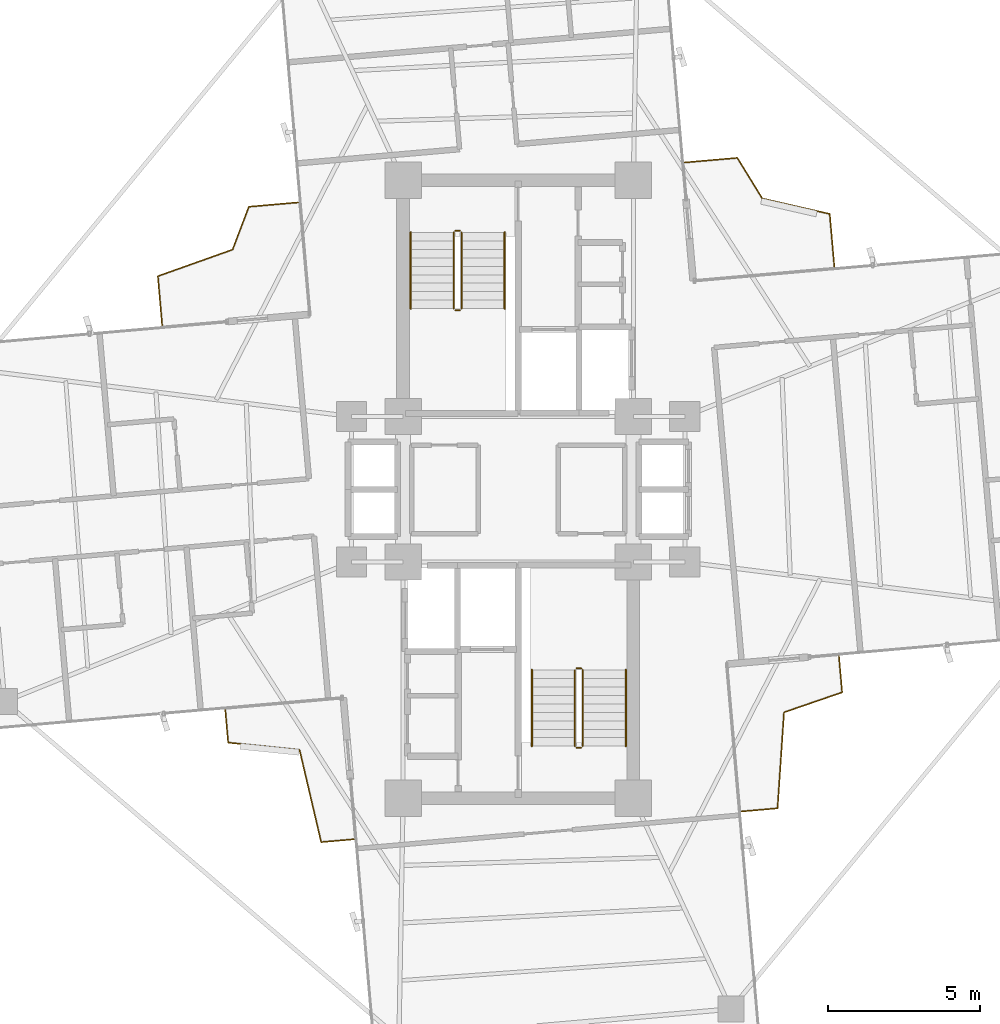
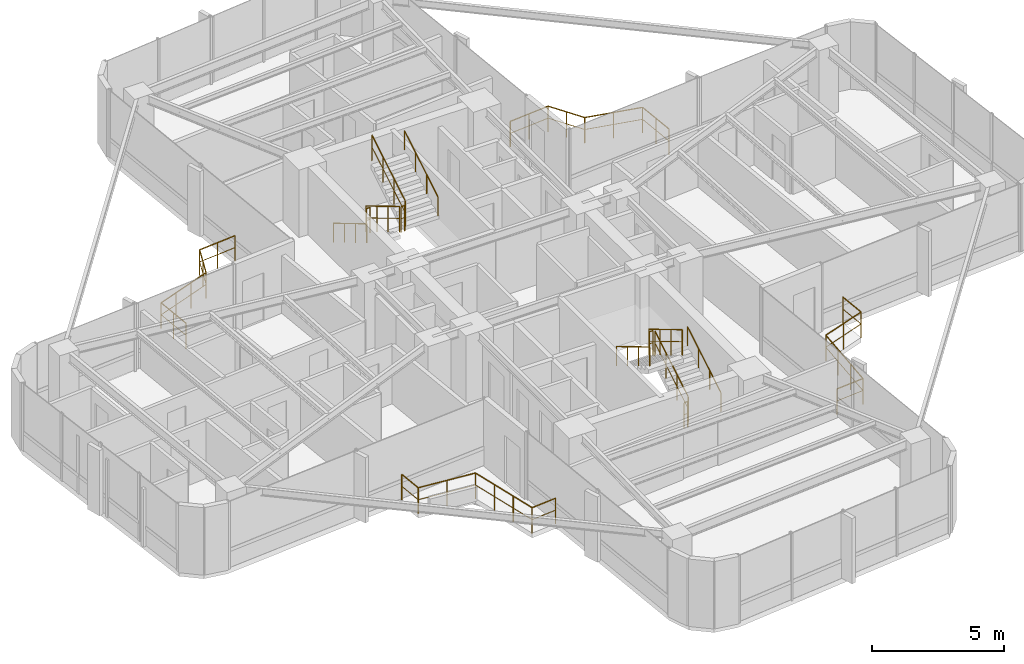
# One storey, part 24 of 24: 16 railings.
"""IFC4 building model written with IfcOpenShell, lengths in metres."""

from ifc_helpers import new_model, si_unit, direction, frame, origin, origin_2d, place, context, subcontext, project, spatial, circle, extrude, material, type_object, element, save


model = new_model("IFC4")

# Units and contexts
model_context = context("Model", 3, precision=1e-05, world=origin(), true_north=direction((0.0, 1.0)))
body_context = subcontext(model_context, "Body", "Model", "MODEL_VIEW")
ifc_project = project(units=[si_unit("LENGTHUNIT", "METRE"), si_unit("AREAUNIT", "SQUARE_METRE"), si_unit("VOLUMEUNIT", "CUBIC_METRE"), si_unit("PLANEANGLEUNIT", "RADIAN"), si_unit("MASSUNIT", "GRAM", prefix="KILO")], contexts=[model_context])

# Site, building, storey
site_placement = place(None, origin())
site = spatial("IfcSite", under=ifc_project, at=site_placement, CompositionType="ELEMENT")
building_placement = place(site_placement, origin())
building = spatial("IfcBuilding", under=site, at=building_placement, Name="Sahyath Konkavel Grand Hotel", CompositionType="ELEMENT")
storey_placement = place(building_placement, frame((0.0, 0.0, 153.949951171875)))
storey = spatial("IfcBuildingStorey", under=building, at=storey_placement, Name="L42", CompositionType="ELEMENT", Elevation=153.949951171875)

# Railings
ifc_material_1 = material(Name="Anodised Bronze Aluminium", Category="aluminium")
railing_type_1 = type_object("IfcRailingType", Name="RLG-BALC-1200", PredefinedType="GUARDRAIL", material=ifc_material_1)
railing_1_placement = place(storey_placement, frame((10.433349609375, 7.347412109375, 0.0)))
element("IfcRailing", 1, at=railing_1_placement, inside=storey, type_object=railing_type_1, Name="L42 Winter-Garden Guard NE", PredefinedType="GUARDRAIL", context=body_context, shape_type="SweptSolid", body=[
    extrude(circle(Radius=0.02392578125, at=origin_2d()), frame((-0.000244140625, 0.001953125, 1.17578125), z_axis=(-0.087196418917, 0.996191138551, 0.0), x_axis=(-0.996191138551, -0.087196418917, 0.0)), (0.0, 0.0, 1.0), 1.7431640625),
    extrude(circle(Radius=0.01416015625, at=origin_2d()), frame((-0.000244140625, 0.001953125, 0.6240234375), z_axis=(-0.087196418917, 0.996191138551, 0.0), x_axis=(-0.996191138551, -0.087196418917, 0.0)), (0.0, 0.0, 1.0), 1.7431640625),
    extrude(circle(Radius=0.02392578125, at=origin_2d()), frame((-0.154296875, 1.740966796875, 1.17578125), z_axis=(-0.974714379717, 0.223454420347, 0.0), x_axis=(-0.223454420347, -0.974714379717, 0.0)), (0.0, 0.0, 1.0), 2.280517578125),
    extrude(circle(Radius=0.01416015625, at=origin_2d()), frame((-0.154296875, 1.740966796875, 0.6240234375), z_axis=(-0.974714379717, 0.223454420347, 0.0), x_axis=(-0.223454420347, -0.974714379717, 0.0)), (0.0, 0.0, 1.0), 2.280517578125),
    extrude(circle(Radius=0.02392578125, at=origin_2d()), frame((-2.380126953125, 2.252685546875, 1.17578125), z_axis=(-0.523352064387, 0.852116551125, 0.0), x_axis=(-0.852116551125, -0.523352064387, 0.0)), (0.0, 0.0, 1.0), 1.568115234375),
    extrude(circle(Radius=0.01416015625, at=origin_2d()), frame((-2.380126953125, 2.252685546875, 0.6240234375), z_axis=(-0.523352064387, 0.852116551125, 0.0), x_axis=(-0.852116551125, -0.523352064387, 0.0)), (0.0, 0.0, 1.0), 1.568115234375),
    extrude(circle(Radius=0.02392578125, at=origin_2d()), frame((-3.203857421875, 3.59033203125, 1.17578125), z_axis=(-0.996191138551, -0.087196418917, 0.0), x_axis=(0.087196418917, -0.996191138551, 0.0)), (0.0, 0.0, 1.0), 1.7431640625),
    extrude(circle(Radius=0.01416015625, at=origin_2d()), frame((-3.203857421875, 3.59033203125, 0.6240234375), z_axis=(-0.996191138551, -0.087196418917, 0.0), x_axis=(0.087196418917, -0.996191138551, 0.0)), (0.0, 0.0, 1.0), 1.7431640625),
    extrude(circle(Radius=0.02099609375, at=origin_2d()), origin(), (0.0, 0.0, 1.0), 1.15185546875),
    extrude(circle(Radius=0.02099609375, at=origin_2d()), frame((-0.076171875, 0.8701171875, 0.0)), (0.0, 0.0, 1.0), 1.15185546875),
    extrude(circle(Radius=0.02099609375, at=origin_2d()), frame((-0.15234375, 1.740478515625, 0.0)), (0.0, 0.0, 1.0), 1.15185546875),
    extrude(circle(Radius=0.02099609375, at=origin_2d()), frame((-1.265625, 1.99560546875, 0.0)), (0.0, 0.0, 1.0), 1.15185546875),
    extrude(circle(Radius=0.02099609375, at=origin_2d()), frame((-2.379150390625, 2.2509765625, 0.0)), (0.0, 0.0, 1.0), 1.15185546875),
    extrude(circle(Radius=0.02099609375, at=origin_2d()), frame((-2.79052734375, 2.9208984375, 0.0)), (0.0, 0.0, 1.0), 1.15185546875),
    extrude(circle(Radius=0.02099609375, at=origin_2d()), frame((-3.201904296875, 3.590576171875, 0.0)), (0.0, 0.0, 1.0), 1.15185546875),
    extrude(circle(Radius=0.02099609375, at=origin_2d()), frame((-4.072265625, 3.514404296875, 0.0)), (0.0, 0.0, 1.0), 1.15185546875),
    extrude(circle(Radius=0.02099609375, at=origin_2d()), frame((-4.9423828125, 3.438232421875, 0.0)), (0.0, 0.0, 1.0), 1.15185546875),
])
railing_2_placement = place(storey_placement, frame((-7.262939453125, 9.468017578125, 0.0)))
element("IfcRailing", 2, at=railing_2_placement, inside=storey, type_object=railing_type_1, Name="L42 Winter-Garden Guard NW", PredefinedType="GUARDRAIL", context=body_context, shape_type="SweptSolid", body=[
    extrude(circle(Radius=0.02392578125, at=origin_2d()), frame((-0.001953125, -0.000244140625, 1.17578125), z_axis=(-0.996196150665, -0.08713913816, 0.0), x_axis=(0.08713913816, -0.996196150665, 0.0)), (0.0, 0.0, 1.0), 1.62939453125),
    extrude(circle(Radius=0.01416015625, at=origin_2d()), frame((-0.001953125, -0.000244140625, 0.6240234375), z_axis=(-0.996196150665, -0.08713913816, 0.0), x_axis=(0.08713913816, -0.996196150665, 0.0)), (0.0, 0.0, 1.0), 1.62939453125),
    extrude(circle(Radius=0.02392578125, at=origin_2d()), frame((-1.6279296875, -0.144287109375, 1.17578125), z_axis=(-0.354814670044, -0.934936655566, 0.0), x_axis=(0.934936655566, -0.354814670044, 0.0)), (0.0, 0.0, 1.0), 1.509765625),
    extrude(circle(Radius=0.01416015625, at=origin_2d()), frame((-1.6279296875, -0.144287109375, 0.6240234375), z_axis=(-0.354814670044, -0.934936655566, 0.0), x_axis=(0.934936655566, -0.354814670044, 0.0)), (0.0, 0.0, 1.0), 1.509765625),
    extrude(circle(Radius=0.02392578125, at=origin_2d()), frame((-2.166259765625, -1.558349609375, 1.17578125), z_axis=(-0.942228430091, -0.334971021924, 0.0), x_axis=(0.334971021924, -0.942228430091, 0.0)), (0.0, 0.0, 1.0), 2.61328125),
    extrude(circle(Radius=0.01416015625, at=origin_2d()), frame((-2.166259765625, -1.558349609375, 0.6240234375), z_axis=(-0.942228430091, -0.334971021924, 0.0), x_axis=(0.334971021924, -0.942228430091, 0.0)), (0.0, 0.0, 1.0), 2.61328125),
    extrude(circle(Radius=0.02392578125, at=origin_2d()), frame((-4.630126953125, -2.436279296875, 1.17578125), z_axis=(0.08713913816, -0.996196150665, 0.0), x_axis=(0.996196150665, 0.08713913816, 0.0)), (0.0, 0.0, 1.0), 1.62939453125),
    extrude(circle(Radius=0.01416015625, at=origin_2d()), frame((-4.630126953125, -2.436279296875, 0.6240234375), z_axis=(0.08713913816, -0.996196150665, 0.0), x_axis=(0.996196150665, 0.08713913816, 0.0)), (0.0, 0.0, 1.0), 1.62939453125),
    extrude(circle(Radius=0.02099609375, at=origin_2d()), origin(), (0.0, 0.0, 1.0), 1.15185546875),
    extrude(circle(Radius=0.02099609375, at=origin_2d()), frame((-0.8134765625, -0.0712890625, 0.0)), (0.0, 0.0, 1.0), 1.15185546875),
    extrude(circle(Radius=0.02099609375, at=origin_2d()), frame((-1.627197265625, -0.142333984375, 0.0)), (0.0, 0.0, 1.0), 1.15185546875),
    extrude(circle(Radius=0.02099609375, at=origin_2d()), frame((-1.895751953125, -0.85009765625, 0.0)), (0.0, 0.0, 1.0), 1.15185546875),
    extrude(circle(Radius=0.02099609375, at=origin_2d()), frame((-2.164306640625, -1.5576171875, 0.0)), (0.0, 0.0, 1.0), 1.15185546875),
    extrude(circle(Radius=0.02099609375, at=origin_2d()), frame((-2.986328125, -1.849853515625, 0.0)), (0.0, 0.0, 1.0), 1.15185546875),
    extrude(circle(Radius=0.02099609375, at=origin_2d()), frame((-3.808349609375, -2.14208984375, 0.0)), (0.0, 0.0, 1.0), 1.15185546875),
    extrude(circle(Radius=0.02099609375, at=origin_2d()), frame((-4.63037109375, -2.434326171875, 0.0)), (0.0, 0.0, 1.0), 1.15185546875),
    extrude(circle(Radius=0.02099609375, at=origin_2d()), frame((-4.55908203125, -3.248046875, 0.0)), (0.0, 0.0, 1.0), 1.15185546875),
    extrude(circle(Radius=0.02099609375, at=origin_2d()), frame((-4.488037109375, -4.0615234375, 0.0)), (0.0, 0.0, 1.0), 1.15185546875),
])
railing_3_placement = place(storey_placement, frame((-9.668212890625, -7.280517578125, 0.0)))
element("IfcRailing", 3, at=railing_3_placement, inside=storey, type_object=railing_type_1, Name="L42 Winter-Garden Guard SW", PredefinedType="GUARDRAIL", context=body_context, shape_type="SweptSolid", body=[
    extrude(circle(Radius=0.02392578125, at=origin_2d()), frame((0.000244140625, -0.001953125, 1.17578125), z_axis=(0.087105523721, -0.996199090412, 0.0), x_axis=(0.996199090412, 0.087105523721, 0.0)), (0.0, 0.0, 1.0), 1.080810546875),
    extrude(circle(Radius=0.01416015625, at=origin_2d()), frame((0.000244140625, -0.001953125, 0.6240234375), z_axis=(0.087105523721, -0.996199090412, 0.0), x_axis=(0.996199090412, 0.087105523721, 0.0)), (0.0, 0.0, 1.0), 1.080810546875),
    extrude(circle(Radius=0.02392578125, at=origin_2d()), frame((0.096435546875, -1.080810546875, 1.17578125), z_axis=(0.994820535557, -0.101646947985, 0.0), x_axis=(0.101646947985, 0.994820535557, 0.0)), (0.0, 0.0, 1.0), 2.3642578125),
    extrude(circle(Radius=0.01416015625, at=origin_2d()), frame((0.096435546875, -1.080810546875, 0.6240234375), z_axis=(0.994820535557, -0.101646947985, 0.0), x_axis=(0.101646947985, 0.994820535557, 0.0)), (0.0, 0.0, 1.0), 2.3642578125),
    extrude(circle(Radius=0.02392578125, at=origin_2d()), frame((2.450927734375, -1.3232421875, 1.17578125), z_axis=(0.228138109194, -0.97362878097, 0.0), x_axis=(0.97362878097, 0.228138109194, 0.0)), (0.0, 0.0, 1.0), 3.121826171875),
    extrude(circle(Radius=0.01416015625, at=origin_2d()), frame((2.450927734375, -1.3232421875, 0.6240234375), z_axis=(0.228138109194, -0.97362878097, 0.0), x_axis=(0.97362878097, 0.228138109194, 0.0)), (0.0, 0.0, 1.0), 3.121826171875),
    extrude(circle(Radius=0.02392578125, at=origin_2d()), frame((3.16552734375, -4.364501953125, 1.17578125), z_axis=(0.996200797595, 0.087085996989, 0.0), x_axis=(-0.087085996989, 0.996200797595, 0.0)), (0.0, 0.0, 1.0), 1.080810546875),
    extrude(circle(Radius=0.01416015625, at=origin_2d()), frame((3.16552734375, -4.364501953125, 0.6240234375), z_axis=(0.996200797595, 0.087085996989, 0.0), x_axis=(-0.087085996989, 0.996200797595, 0.0)), (0.0, 0.0, 1.0), 1.080810546875),
    extrude(circle(Radius=0.02099609375, at=origin_2d()), origin(), (0.0, 0.0, 1.0), 1.15185546875),
    extrude(circle(Radius=0.02099609375, at=origin_2d()), frame((0.094482421875, -1.08056640625, 0.0)), (0.0, 0.0, 1.0), 1.15185546875),
    extrude(circle(Radius=0.02099609375, at=origin_2d()), frame((1.2724609375, -1.200927734375, 0.0)), (0.0, 0.0, 1.0), 1.15185546875),
    extrude(circle(Radius=0.02099609375, at=origin_2d()), frame((2.450439453125, -1.3212890625, 0.0)), (0.0, 0.0, 1.0), 1.15185546875),
    extrude(circle(Radius=0.02099609375, at=origin_2d()), frame((2.688232421875, -2.335693359375, 0.0)), (0.0, 0.0, 1.0), 1.15185546875),
    extrude(circle(Radius=0.02099609375, at=origin_2d()), frame((2.92578125, -3.350341796875, 0.0)), (0.0, 0.0, 1.0), 1.15185546875),
    extrude(circle(Radius=0.02099609375, at=origin_2d()), frame((3.16357421875, -4.36474609375, 0.0)), (0.0, 0.0, 1.0), 1.15185546875),
    extrude(circle(Radius=0.02099609375, at=origin_2d()), frame((4.244384765625, -4.270263671875, 0.0)), (0.0, 0.0, 1.0), 1.15185546875),
])
railing_4_placement = place(storey_placement, frame((7.36474609375, -10.633544921875, 0.0)))
element("IfcRailing", 4, at=railing_4_placement, inside=storey, type_object=railing_type_1, Name="L42 Winter-Garden Guard SE", PredefinedType="GUARDRAIL", context=body_context, shape_type="SweptSolid", body=[
    extrude(circle(Radius=0.02392578125, at=origin_2d()), frame((0.001953125, 0.000244140625, 1.17578125), z_axis=(0.996193054224, 0.0871745302, 0.0), x_axis=(-0.0871745302, 0.996193054224, 0.0)), (0.0, 0.0, 1.0), 1.194580078125),
    extrude(circle(Radius=0.01416015625, at=origin_2d()), frame((0.001953125, 0.000244140625, 0.6240234375), z_axis=(0.996193054224, 0.0871745302, 0.0), x_axis=(-0.0871745302, 0.996193054224, 0.0)), (0.0, 0.0, 1.0), 1.194580078125),
    extrude(circle(Radius=0.02392578125, at=origin_2d()), frame((1.1943359375, 0.1064453125, 1.17578125), z_axis=(0.067437649414, 0.997723490473, 0.0), x_axis=(-0.997723490473, 0.067437649414, 0.0)), (0.0, 0.0, 1.0), 3.1708984375),
    extrude(circle(Radius=0.01416015625, at=origin_2d()), frame((1.1943359375, 0.1064453125, 0.6240234375), z_axis=(0.067437649414, 0.997723490473, 0.0), x_axis=(-0.997723490473, 0.067437649414, 0.0)), (0.0, 0.0, 1.0), 3.1708984375),
    extrude(circle(Radius=0.02392578125, at=origin_2d()), frame((1.41015625, 3.27294921875, 1.17578125), z_axis=(0.945678498661, 0.325103333064, 0.0), x_axis=(-0.325103333064, 0.945678498661, 0.0)), (0.0, 0.0, 1.0), 2.02294921875),
    extrude(circle(Radius=0.01416015625, at=origin_2d()), frame((1.41015625, 3.27294921875, 0.6240234375), z_axis=(0.945678498661, 0.325103333064, 0.0), x_axis=(-0.325103333064, 0.945678498661, 0.0)), (0.0, 0.0, 1.0), 2.02294921875),
    extrude(circle(Radius=0.02392578125, at=origin_2d()), frame((3.32470703125, 3.93310546875, 1.17578125), z_axis=(-0.0871745302, 0.996193054224, 0.0), x_axis=(-0.996193054224, -0.0871745302, 0.0)), (0.0, 0.0, 1.0), 1.194580078125),
    extrude(circle(Radius=0.01416015625, at=origin_2d()), frame((3.32470703125, 3.93310546875, 0.6240234375), z_axis=(-0.0871745302, 0.996193054224, 0.0), x_axis=(-0.996193054224, -0.0871745302, 0.0)), (0.0, 0.0, 1.0), 1.194580078125),
    extrude(circle(Radius=0.02099609375, at=origin_2d()), origin(), (0.0, 0.0, 1.0), 1.15185546875),
    extrude(circle(Radius=0.02099609375, at=origin_2d()), frame((1.194091796875, 0.1044921875, 0.0)), (0.0, 0.0, 1.0), 1.15185546875),
    extrude(circle(Radius=0.02099609375, at=origin_2d()), frame((1.265380859375, 1.160400390625, 0.0)), (0.0, 0.0, 1.0), 1.15185546875),
    extrude(circle(Radius=0.02099609375, at=origin_2d()), frame((1.3369140625, 2.21630859375, 0.0)), (0.0, 0.0, 1.0), 1.15185546875),
    extrude(circle(Radius=0.02099609375, at=origin_2d()), frame((1.408203125, 3.272216796875, 0.0)), (0.0, 0.0, 1.0), 1.15185546875),
    extrude(circle(Radius=0.02099609375, at=origin_2d()), frame((2.36669921875, 3.6015625, 0.0)), (0.0, 0.0, 1.0), 1.15185546875),
    extrude(circle(Radius=0.02099609375, at=origin_2d()), frame((3.324951171875, 3.93115234375, 0.0)), (0.0, 0.0, 1.0), 1.15185546875),
    extrude(circle(Radius=0.02099609375, at=origin_2d()), frame((3.220458984375, 5.125244140625, 0.0)), (0.0, 0.0, 1.0), 1.15185546875),
])
ifc_material_2 = material(Name="Steel E350", Category="steel")
railing_type_2 = type_object("IfcRailingType", Name="RLG-STAIR-GRD", PredefinedType="GUARDRAIL", material=ifc_material_2)
railing_5_placement = place(storey_placement, frame((-2.1298828125, 8.47998046875, 0.16748046875)))
element("IfcRailing", 5, at=railing_5_placement, inside=storey, type_object=railing_type_2, Name="L42 ST-1 stair guard 1", PredefinedType="GUARDRAIL", context=body_context, shape_type="SweptSolid", body=[
    extrude(circle(Radius=0.02392578125, at=origin_2d()), frame((0.0, -0.001708984375, 1.177001953125), z_axis=(0.0, -0.858159760407, 0.513382728203), x_axis=(1.0, 0.0, 0.0)), (0.0, 0.0, 1.0), 2.9326171875),
    extrude(circle(Radius=0.01416015625, at=origin_2d()), frame((0.0, -0.001708984375, 0.625), z_axis=(0.0, -0.858159760407, 0.513382728203), x_axis=(1.0, 0.0, 0.0)), (0.0, 0.0, 1.0), 2.9326171875),
    extrude(circle(Radius=0.02099609375, at=origin_2d()), origin(), (0.0, 0.0, 1.0), 1.15185546875),
    extrude(circle(Radius=0.02099609375, at=origin_2d()), frame((0.0, -0.840087890625, 0.50244140625)), (0.0, 0.0, 1.0), 1.15185546875),
    extrude(circle(Radius=0.02099609375, at=origin_2d()), frame((0.0, -1.679931640625, 1.005126953125)), (0.0, 0.0, 1.0), 1.15185546875),
    extrude(circle(Radius=0.02099609375, at=origin_2d()), frame((0.0, -2.52001953125, 1.507568359375)), (0.0, 0.0, 1.0), 1.15185546875),
])
railing_6_placement = place(storey_placement, frame((-2.080078125, 5.909912109375, 1.675048828125)))
element("IfcRailing", 6, at=railing_6_placement, inside=storey, type_object=railing_type_2, Name="L42 ST-1 stair guard 2", PredefinedType="GUARDRAIL", context=body_context, shape_type="SweptSolid", body=[
    extrude(circle(Radius=0.02392578125, at=origin_2d()), frame((0.001953125, 0.0, 1.17578125), z_axis=(1.0, 0.0, 0.0), x_axis=(0.0, 1.0, 0.0)), (0.0, 0.0, 1.0), 0.15625),
    extrude(circle(Radius=0.01416015625, at=origin_2d()), frame((0.001953125, 0.0, 0.6240234375), z_axis=(1.0, 0.0, 0.0), x_axis=(0.0, 1.0, 0.0)), (0.0, 0.0, 1.0), 0.15625),
    extrude(circle(Radius=0.02099609375, at=origin_2d()), origin(), (0.0, 0.0, 1.0), 1.15185546875),
    extrude(circle(Radius=0.02099609375, at=origin_2d()), frame((0.16015625, 0.0, 0.0)), (0.0, 0.0, 1.0), 1.15185546875),
])
railing_7_placement = place(storey_placement, frame((-1.8701171875, 5.9599609375, 1.842529296875)))
element("IfcRailing", 7, at=railing_7_placement, inside=storey, type_object=railing_type_2, Name="L42 ST-1 stair guard 3", PredefinedType="GUARDRAIL", context=body_context, shape_type="SweptSolid", body=[
    extrude(circle(Radius=0.02392578125, at=origin_2d()), frame((0.0, 0.001708984375, 1.177001953125), z_axis=(0.0, 0.858159760407, 0.513382728203), x_axis=(-1.0, 0.0, 0.0)), (0.0, 0.0, 1.0), 2.9326171875),
    extrude(circle(Radius=0.01416015625, at=origin_2d()), frame((0.0, 0.001708984375, 0.625), z_axis=(0.0, 0.858159760407, 0.513382728203), x_axis=(-1.0, 0.0, 0.0)), (0.0, 0.0, 1.0), 2.9326171875),
    extrude(circle(Radius=0.02099609375, at=origin_2d()), origin(), (0.0, 0.0, 1.0), 1.15185546875),
    extrude(circle(Radius=0.02099609375, at=origin_2d()), frame((0.0, 0.840087890625, 0.50244140625)), (0.0, 0.0, 1.0), 1.15185546875),
    extrude(circle(Radius=0.02099609375, at=origin_2d()), frame((0.0, 1.679931640625, 1.005126953125)), (0.0, 0.0, 1.0), 1.15185546875),
    extrude(circle(Radius=0.02099609375, at=origin_2d()), frame((0.0, 2.52001953125, 1.507568359375)), (0.0, 0.0, 1.0), 1.15185546875),
])
railing_8_placement = place(storey_placement, frame((-2.080078125, 8.530029296875, 0.0)))
element("IfcRailing", 8, at=railing_8_placement, inside=storey, type_object=railing_type_2, Name="L42 ST-1 stair guard 4", PredefinedType="GUARDRAIL", context=body_context, shape_type="SweptSolid", body=[
    extrude(circle(Radius=0.02392578125, at=origin_2d()), frame((0.001953125, 0.0, 1.17578125), z_axis=(1.0, 0.0, 0.0), x_axis=(0.0, 1.0, 0.0)), (0.0, 0.0, 1.0), 0.15625),
    extrude(circle(Radius=0.01416015625, at=origin_2d()), frame((0.001953125, 0.0, 0.6240234375), z_axis=(1.0, 0.0, 0.0), x_axis=(0.0, 1.0, 0.0)), (0.0, 0.0, 1.0), 0.15625),
    extrude(circle(Radius=0.02099609375, at=origin_2d()), origin(), (0.0, 0.0, 1.0), 1.15185546875),
    extrude(circle(Radius=0.02099609375, at=origin_2d()), frame((0.16015625, 0.0, 0.0)), (0.0, 0.0, 1.0), 1.15185546875),
])
railing_9_placement = place(storey_placement, frame((2.1298828125, -8.47998046875, 0.16748046875)))
element("IfcRailing", 9, at=railing_9_placement, inside=storey, type_object=railing_type_2, Name="L42 ST-2 stair guard 1", PredefinedType="GUARDRAIL", context=body_context, shape_type="SweptSolid", body=[
    extrude(circle(Radius=0.02392578125, at=origin_2d()), frame((0.0, 0.001708984375, 1.177001953125), z_axis=(0.0, 0.858159760407, 0.513382728203), x_axis=(-1.0, 0.0, 0.0)), (0.0, 0.0, 1.0), 2.9326171875),
    extrude(circle(Radius=0.01416015625, at=origin_2d()), frame((0.0, 0.001708984375, 0.625), z_axis=(0.0, 0.858159760407, 0.513382728203), x_axis=(-1.0, 0.0, 0.0)), (0.0, 0.0, 1.0), 2.9326171875),
    extrude(circle(Radius=0.02099609375, at=origin_2d()), origin(), (0.0, 0.0, 1.0), 1.15185546875),
    extrude(circle(Radius=0.02099609375, at=origin_2d()), frame((0.0, 0.840087890625, 0.50244140625)), (0.0, 0.0, 1.0), 1.15185546875),
    extrude(circle(Radius=0.02099609375, at=origin_2d()), frame((0.0, 1.679931640625, 1.005126953125)), (0.0, 0.0, 1.0), 1.15185546875),
    extrude(circle(Radius=0.02099609375, at=origin_2d()), frame((0.0, 2.52001953125, 1.507568359375)), (0.0, 0.0, 1.0), 1.15185546875),
])
railing_10_placement = place(storey_placement, frame((2.080078125, -5.909912109375, 1.675048828125)))
element("IfcRailing", 10, at=railing_10_placement, inside=storey, type_object=railing_type_2, Name="L42 ST-2 stair guard 2", PredefinedType="GUARDRAIL", context=body_context, shape_type="SweptSolid", body=[
    extrude(circle(Radius=0.02392578125, at=origin_2d()), frame((-0.001953125, 0.0, 1.17578125), z_axis=(-1.0, 0.0, 0.0), x_axis=(0.0, -1.0, 0.0)), (0.0, 0.0, 1.0), 0.15625),
    extrude(circle(Radius=0.01416015625, at=origin_2d()), frame((-0.001953125, 0.0, 0.6240234375), z_axis=(-1.0, 0.0, 0.0), x_axis=(0.0, -1.0, 0.0)), (0.0, 0.0, 1.0), 0.15625),
    extrude(circle(Radius=0.02099609375, at=origin_2d()), origin(), (0.0, 0.0, 1.0), 1.15185546875),
    extrude(circle(Radius=0.02099609375, at=origin_2d()), frame((-0.16015625, 0.0, 0.0)), (0.0, 0.0, 1.0), 1.15185546875),
])
railing_11_placement = place(storey_placement, frame((1.8701171875, -5.9599609375, 1.842529296875)))
element("IfcRailing", 11, at=railing_11_placement, inside=storey, type_object=railing_type_2, Name="L42 ST-2 stair guard 3", PredefinedType="GUARDRAIL", context=body_context, shape_type="SweptSolid", body=[
    extrude(circle(Radius=0.02392578125, at=origin_2d()), frame((0.0, -0.001708984375, 1.177001953125), z_axis=(0.0, -0.858159760407, 0.513382728203), x_axis=(1.0, 0.0, 0.0)), (0.0, 0.0, 1.0), 2.9326171875),
    extrude(circle(Radius=0.01416015625, at=origin_2d()), frame((0.0, -0.001708984375, 0.625), z_axis=(0.0, -0.858159760407, 0.513382728203), x_axis=(1.0, 0.0, 0.0)), (0.0, 0.0, 1.0), 2.9326171875),
    extrude(circle(Radius=0.02099609375, at=origin_2d()), origin(), (0.0, 0.0, 1.0), 1.15185546875),
    extrude(circle(Radius=0.02099609375, at=origin_2d()), frame((0.0, -0.840087890625, 0.50244140625)), (0.0, 0.0, 1.0), 1.15185546875),
    extrude(circle(Radius=0.02099609375, at=origin_2d()), frame((0.0, -1.679931640625, 1.005126953125)), (0.0, 0.0, 1.0), 1.15185546875),
    extrude(circle(Radius=0.02099609375, at=origin_2d()), frame((0.0, -2.52001953125, 1.507568359375)), (0.0, 0.0, 1.0), 1.15185546875),
])
railing_12_placement = place(storey_placement, frame((2.080078125, -8.530029296875, 0.0)))
element("IfcRailing", 12, at=railing_12_placement, inside=storey, type_object=railing_type_2, Name="L42 ST-2 stair guard 4", PredefinedType="GUARDRAIL", context=body_context, shape_type="SweptSolid", body=[
    extrude(circle(Radius=0.02392578125, at=origin_2d()), frame((-0.001953125, 0.0, 1.17578125), z_axis=(-1.0, 0.0, 0.0), x_axis=(0.0, -1.0, 0.0)), (0.0, 0.0, 1.0), 0.15625),
    extrude(circle(Radius=0.01416015625, at=origin_2d()), frame((-0.001953125, 0.0, 0.6240234375), z_axis=(-1.0, 0.0, 0.0), x_axis=(0.0, -1.0, 0.0)), (0.0, 0.0, 1.0), 0.15625),
    extrude(circle(Radius=0.02099609375, at=origin_2d()), origin(), (0.0, 0.0, 1.0), 1.15185546875),
    extrude(circle(Radius=0.02099609375, at=origin_2d()), frame((-0.16015625, 0.0, 0.0)), (0.0, 0.0, 1.0), 1.15185546875),
])
railing_type_3 = type_object("IfcRailingType", Name="RLG-STAIR-HND", PredefinedType="HANDRAIL", material=ifc_material_1)
railing_13_placement = place(storey_placement, frame((-3.550048828125, 8.47998046875, 0.16748046875)))
element("IfcRailing", 13, at=railing_13_placement, inside=storey, type_object=railing_type_3, Name="L42 ST-1 stair handrail 1", PredefinedType="HANDRAIL", context=body_context, shape_type="SweptSolid", body=[
    extrude(circle(Radius=0.02392578125, at=origin_2d()), frame((0.0, -0.001708984375, 0.876953125), z_axis=(0.0, -0.858159760407, 0.513382728203), x_axis=(1.0, 0.0, 0.0)), (0.0, 0.0, 1.0), 2.9326171875),
    extrude(circle(Radius=0.02099609375, at=origin_2d()), origin(), (0.0, 0.0, 1.0), 0.851806640625),
    extrude(circle(Radius=0.02099609375, at=origin_2d()), frame((0.0, -0.840087890625, 0.50244140625)), (0.0, 0.0, 1.0), 0.851806640625),
    extrude(circle(Radius=0.02099609375, at=origin_2d()), frame((0.0, -1.679931640625, 1.005126953125)), (0.0, 0.0, 1.0), 0.851806640625),
    extrude(circle(Radius=0.02099609375, at=origin_2d()), frame((0.0, -2.52001953125, 1.507568359375)), (0.0, 0.0, 1.0), 0.851806640625),
])
for number, where, name in (
    (14, (-0.449951171875, 5.9599609375, 1.842529296875), "L42 ST-1 stair handrail 2"),
    (15, (3.550048828125, -8.47998046875, 0.16748046875), "L42 ST-2 stair handrail 1"),
):
    element("IfcRailing", number, at=place(storey_placement, frame(where)), inside=storey, type_object=railing_type_3, Name=name, PredefinedType="HANDRAIL", context=body_context, shape_type="SweptSolid", body=[
        extrude(circle(Radius=0.02392578125, at=origin_2d()), frame((0.0, 0.001708984375, 0.876953125), z_axis=(0.0, 0.858159760407, 0.513382728203), x_axis=(-1.0, 0.0, 0.0)), (0.0, 0.0, 1.0), 2.9326171875),
        extrude(circle(Radius=0.02099609375, at=origin_2d()), origin(), (0.0, 0.0, 1.0), 0.851806640625),
        extrude(circle(Radius=0.02099609375, at=origin_2d()), frame((0.0, 0.840087890625, 0.50244140625)), (0.0, 0.0, 1.0), 0.851806640625),
        extrude(circle(Radius=0.02099609375, at=origin_2d()), frame((0.0, 1.679931640625, 1.005126953125)), (0.0, 0.0, 1.0), 0.851806640625),
        extrude(circle(Radius=0.02099609375, at=origin_2d()), frame((0.0, 2.52001953125, 1.507568359375)), (0.0, 0.0, 1.0), 0.851806640625),
    ])
railing_14_placement = place(storey_placement, frame((0.449951171875, -5.9599609375, 1.842529296875)))
element("IfcRailing", 16, at=railing_14_placement, inside=storey, type_object=railing_type_3, Name="L42 ST-2 stair handrail 2", PredefinedType="HANDRAIL", context=body_context, shape_type="SweptSolid", body=[
    extrude(circle(Radius=0.02392578125, at=origin_2d()), frame((0.0, -0.001708984375, 0.876953125), z_axis=(0.0, -0.858159760407, 0.513382728203), x_axis=(1.0, 0.0, 0.0)), (0.0, 0.0, 1.0), 2.9326171875),
    extrude(circle(Radius=0.02099609375, at=origin_2d()), origin(), (0.0, 0.0, 1.0), 0.851806640625),
    extrude(circle(Radius=0.02099609375, at=origin_2d()), frame((0.0, -0.840087890625, 0.50244140625)), (0.0, 0.0, 1.0), 0.851806640625),
    extrude(circle(Radius=0.02099609375, at=origin_2d()), frame((0.0, -1.679931640625, 1.005126953125)), (0.0, 0.0, 1.0), 0.851806640625),
    extrude(circle(Radius=0.02099609375, at=origin_2d()), frame((0.0, -2.52001953125, 1.507568359375)), (0.0, 0.0, 1.0), 0.851806640625),
])

save(model, "model.ifc")
